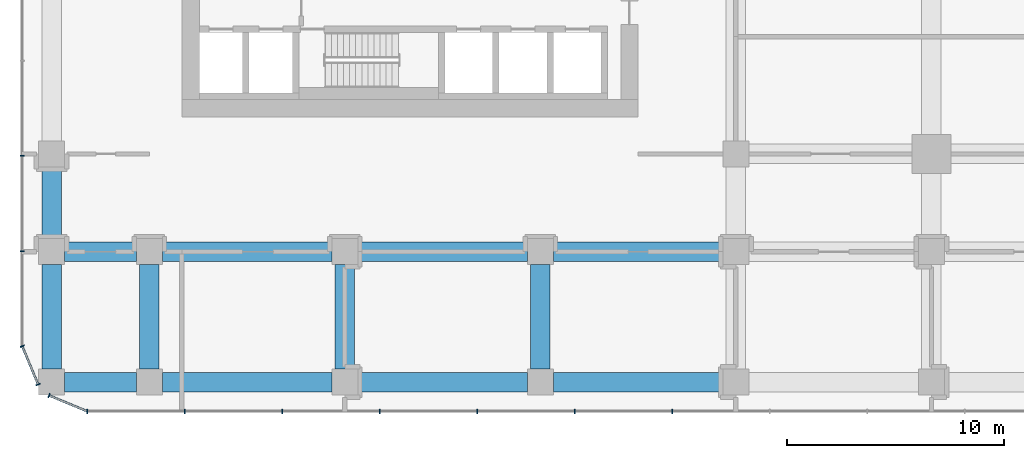
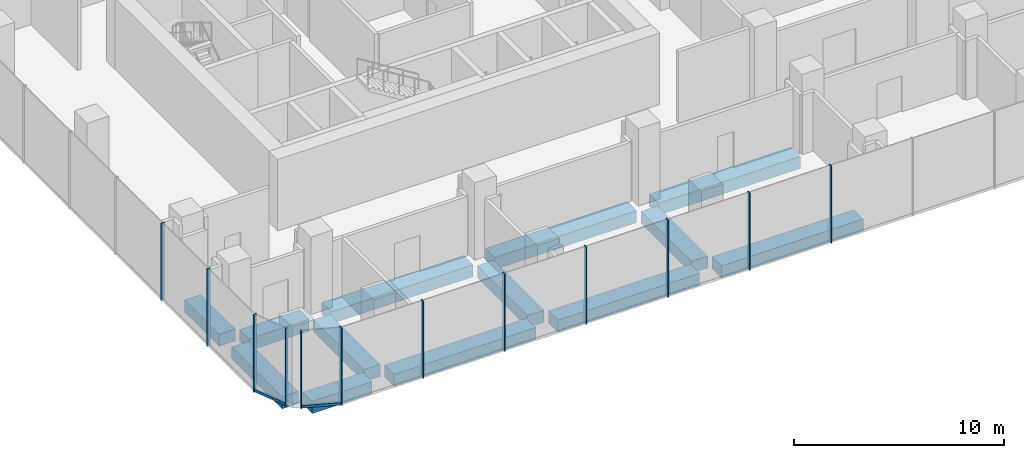
# One storey, part 2 of 43: 14 members, 13 beams, 4 elements without a shape of their own.
"""IFC4 building model written with IfcOpenShell, lengths in metres."""

from ifc_helpers import new_model, si_unit, direction, frame, origin, origin_2d, place, context, subcontext, project, spatial, rectangle, extrude, material, layer, layer_set, material_profile, profile_set, type_object, element, aggregate, save


model = new_model("IFC4")

# Units and contexts
model_context = context("Model", 3, precision=1e-05, world=origin(), true_north=direction((0.0, 1.0)))
body_context = subcontext(model_context, "Body", "Model", "MODEL_VIEW")
ifc_project = project(units=[si_unit("LENGTHUNIT", "METRE"), si_unit("AREAUNIT", "SQUARE_METRE"), si_unit("VOLUMEUNIT", "CUBIC_METRE"), si_unit("PLANEANGLEUNIT", "RADIAN"), si_unit("MASSUNIT", "GRAM", prefix="KILO")], contexts=[model_context])

# Site, building, storey
site_placement = place(None, origin())
site = spatial("IfcSite", under=ifc_project, at=site_placement, CompositionType="ELEMENT")
building_placement = place(site_placement, origin())
building = spatial("IfcBuilding", under=site, at=building_placement, Name="Plateau Cross Towers", CompositionType="ELEMENT")
storey_placement = place(building_placement, frame((0.0, 0.0, 12.800048828125)))
storey = spatial("IfcBuildingStorey", under=building, at=storey_placement, Name="L02", CompositionType="ELEMENT", Elevation=12.800048828125)

# Curtain wall, members
ifc_material_1 = material(Name="Dark low-iron laminated glass", Category="glass")
ifc_layer = layer(ifc_material_1, 0.300048828125)
ifc_layer_set = layer_set([ifc_layer], Name="Dark low-iron laminated glass")
curtain_wall_type = type_object("IfcCurtainWallType", Name="Curtain wall structural silicone CW-C", PredefinedType="NOTDEFINED", material=ifc_layer_set)
curtain_wall_1_placement = place(storey_placement, origin())
curtain_wall_1 = element("IfcCurtainWall", 1, at=curtain_wall_1_placement, inside=storey, type_object=curtain_wall_type, Name="ENV/P/L02/P-28_-118", PredefinedType="NOTDEFINED")
ifc_material_2 = material(Name="Black anodised aluminium", Category="aluminium")
ifc_material_profile_1 = material_profile(ifc_material_2, rectangle(XDim=0.050048828125, YDim=0.199951171875, at=origin_2d()), Name="MULLION 50x200")
ifc_profile_set_1 = profile_set([ifc_material_profile_1], Name="Black anodised aluminium")
member_type_1 = type_object("IfcMemberType", Name="Mullion 50x200 structural silicone", PredefinedType="MULLION", material=ifc_profile_set_1)
member_1_placement = place(storey_placement, frame((-2.85009765625, -11.85009765625, -0.35009765625), z_axis=(0.0, 0.0, 1.0), x_axis=(1.0, 0.0, 0.0)))
member_1 = element("IfcMember", 2, at=member_1_placement, type_object=member_type_1, Name="CW-C mullion 1", PredefinedType="MULLION", context=body_context, shape_type="SweptSolid", body=[
    extrude(rectangle(XDim=0.050048828125, YDim=0.199951171875, at=origin_2d()), origin(), (0.0, 0.0, 1.0), 4.5),
])
member_2_placement = place(storey_placement, frame((1.637451171875, -11.85009765625, -0.35009765625), z_axis=(0.0, 0.0, 1.0), x_axis=(1.0, 0.0, 0.0)))
member_2 = element("IfcMember", 3, at=member_2_placement, type_object=member_type_1, Name="CW-C mullion 2", PredefinedType="MULLION", context=body_context, shape_type="SweptSolid", body=[
    extrude(rectangle(XDim=0.050048828125, YDim=0.199951171875, at=origin_2d()), origin(), (0.0, 0.0, 1.0), 4.5),
])
member_3_placement = place(storey_placement, frame((6.125, -11.85009765625, -0.35009765625), z_axis=(0.0, 0.0, 1.0), x_axis=(1.0, 0.0, 0.0)))
member_3 = element("IfcMember", 4, at=member_3_placement, type_object=member_type_1, Name="CW-C mullion 3", PredefinedType="MULLION", context=body_context, shape_type="SweptSolid", body=[
    extrude(rectangle(XDim=0.050048828125, YDim=0.199951171875, at=origin_2d()), origin(), (0.0, 0.0, 1.0), 4.5),
])
member_4_placement = place(storey_placement, frame((10.612548828125, -11.85009765625, -0.35009765625), z_axis=(0.0, 0.0, 1.0), x_axis=(1.0, 0.0, 0.0)))
member_4 = element("IfcMember", 5, at=member_4_placement, type_object=member_type_1, Name="CW-C mullion 4", PredefinedType="MULLION", context=body_context, shape_type="SweptSolid", body=[
    extrude(rectangle(XDim=0.050048828125, YDim=0.199951171875, at=origin_2d()), origin(), (0.0, 0.0, 1.0), 4.5),
])
member_5_placement = place(storey_placement, frame((15.10009765625, -11.85009765625, -0.35009765625), z_axis=(0.0, 0.0, 1.0), x_axis=(1.0, 0.0, 0.0)))
member_5 = element("IfcMember", 6, at=member_5_placement, type_object=member_type_1, Name="CW-C mullion 5", PredefinedType="MULLION", context=body_context, shape_type="SweptSolid", body=[
    extrude(rectangle(XDim=0.050048828125, YDim=0.199951171875, at=origin_2d()), origin(), (0.0, 0.0, 1.0), 4.5),
])
member_6_placement = place(storey_placement, frame((19.58740234375, -11.85009765625, -0.35009765625), z_axis=(0.0, 0.0, 1.0), x_axis=(1.0, 0.0, 0.0)))
member_6 = element("IfcMember", 7, at=member_6_placement, type_object=member_type_1, Name="CW-C mullion 6", PredefinedType="MULLION", context=body_context, shape_type="SweptSolid", body=[
    extrude(rectangle(XDim=0.050048828125, YDim=0.199951171875, at=origin_2d()), origin(), (0.0, 0.0, 1.0), 4.5),
])
member_7_placement = place(storey_placement, frame((24.074951171875, -11.85009765625, -0.35009765625), z_axis=(0.0, 0.0, 1.0), x_axis=(1.0, 0.0, 0.0)))
member_7 = element("IfcMember", 8, at=member_7_placement, type_object=member_type_1, Name="CW-C mullion 7", PredefinedType="MULLION", context=body_context, shape_type="SweptSolid", body=[
    extrude(rectangle(XDim=0.050048828125, YDim=0.199951171875, at=origin_2d()), origin(), (0.0, 0.0, 1.0), 4.5),
])
aggregate(curtain_wall_1, [member_1, member_2, member_3, member_4, member_5, member_6, member_7])

curtain_wall_2_placement = place(storey_placement, origin())
curtain_wall_2 = element("IfcCurtainWall", 9, at=curtain_wall_2_placement, inside=storey, type_object=curtain_wall_type, Name="ENV/P/L02/P-58_568", PredefinedType="NOTDEFINED")
member_8_placement = place(storey_placement, frame((-5.85009765625, -0.090087890625, -0.35009765625), z_axis=(0.0, 0.0, 1.0), x_axis=(0.0, -1.0, 0.0)))
member_8 = element("IfcMember", 10, at=member_8_placement, type_object=member_type_1, Name="CW-C mullion 14", PredefinedType="MULLION", context=body_context, shape_type="SweptSolid", body=[
    extrude(rectangle(XDim=0.050048828125, YDim=0.199951171875, at=origin_2d()), origin(), (0.0, 0.0, 1.0), 4.5),
])
member_9_placement = place(storey_placement, frame((-5.85009765625, -4.469970703125, -0.35009765625), z_axis=(0.0, 0.0, 1.0), x_axis=(0.0, -1.0, 0.0)))
member_9 = element("IfcMember", 11, at=member_9_placement, type_object=member_type_1, Name="CW-C mullion 15", PredefinedType="MULLION", context=body_context, shape_type="SweptSolid", body=[
    extrude(rectangle(XDim=0.050048828125, YDim=0.199951171875, at=origin_2d()), origin(), (0.0, 0.0, 1.0), 4.5),
])
aggregate(curtain_wall_2, [member_8, member_9])

curtain_wall_3_placement = place(storey_placement, origin())
curtain_wall_3 = element("IfcCurtainWall", 12, at=curtain_wall_3_placement, inside=storey, type_object=curtain_wall_type, Name="ENV/P/L02/P-58_-88", PredefinedType="NOTDEFINED")
member_10_placement = place(storey_placement, frame((-5.85009765625, -8.85009765625, -0.35009765625), z_axis=(0.0, 0.0, 1.0), x_axis=(0.382683612978, -0.923879457699, 0.0)))
member_10 = element("IfcMember", 13, at=member_10_placement, type_object=member_type_1, Name="CW-C mullion 1", PredefinedType="MULLION", context=body_context, shape_type="SweptSolid", body=[
    extrude(rectangle(XDim=0.050048828125, YDim=0.199951171875, at=origin_2d()), origin(), (0.0, 0.0, 1.0), 4.5),
])
member_11_placement = place(storey_placement, frame((-5.1201171875, -10.6123046875, -0.35009765625), z_axis=(0.0, 0.0, 1.0), x_axis=(0.382683612978, -0.923879457699, 0.0)))
member_11 = element("IfcMember", 14, at=member_11_placement, type_object=member_type_1, Name="CW-C mullion 2", PredefinedType="MULLION", context=body_context, shape_type="SweptSolid", body=[
    extrude(rectangle(XDim=0.050048828125, YDim=0.199951171875, at=origin_2d()), origin(), (0.0, 0.0, 1.0), 4.5),
])

# Curtain wall, member
curtain_wall_4_placement = place(storey_placement, origin())
curtain_wall_4 = element("IfcCurtainWall", 15, at=curtain_wall_4_placement, inside=storey, type_object=curtain_wall_type, Name="ENV/P/L02/P-46_-111", PredefinedType="NOTDEFINED")
member_12_placement = place(storey_placement, frame((-4.6123046875, -11.1201171875, -0.35009765625), z_axis=(0.0, 0.0, 1.0), x_axis=(0.923879457699, -0.382683612978, 0.0)))
member_12 = element("IfcMember", 16, at=member_12_placement, type_object=member_type_1, Name="CW-C mullion 1", PredefinedType="MULLION", context=body_context, shape_type="SweptSolid", body=[
    extrude(rectangle(XDim=0.050048828125, YDim=0.199951171875, at=origin_2d()), origin(), (0.0, 0.0, 1.0), 4.5),
])

# Beams
ifc_material_3 = material(Name="Concrete C50/60", Category="concrete")
ifc_material_profile_2 = material_profile(ifc_material_3, rectangle(XDim=0.89990234375, YDim=0.699951171875, at=origin_2d()), Name="RC 900x700")
ifc_profile_set_2 = profile_set([ifc_material_profile_2], Name="Concrete C50/60")
beam_type = type_object("IfcBeamType", Name="Podium band beam RC 900x700", PredefinedType="BEAM", material=ifc_profile_set_2)
beam_1_placement = place(storey_placement, frame((-3.89990234375, -10.5, -0.699951171875), z_axis=(1.0, 0.0, 0.0), x_axis=(0.0, 1.0, 0.0)))
element("IfcBeam", 17, at=beam_1_placement, inside=storey, type_object=beam_type, Name="PB01@L02", PredefinedType="BEAM", context=body_context, shape_type="SweptSolid", body=[
    extrude(rectangle(XDim=0.89990234375, YDim=0.699951171875, at=origin_2d()), origin(), (0.0, 0.0, 1.0), 3.2998046875),
])
for number, where, z_axis, x_axis, name in (
    (18, (0.60009765625, -10.5, -0.699951171875), (1.0, 0.0, 0.0), (0.0, 1.0, 0.0), "PB02@L02"),
    (19, (9.60009765625, -10.5, -0.699951171875), (1.0, 0.0, 0.0), (0.0, 1.0, 0.0), "PB03@L02"),
    (20, (18.60009765625, -10.5, -0.699951171875), (1.0, 0.0, 0.0), (0.0, 1.0, 0.0), "PB04@L02"),
):
    element("IfcBeam", number, at=place(storey_placement, frame(where, z_axis=z_axis, x_axis=x_axis)), inside=storey, type_object=beam_type, Name=name, PredefinedType="BEAM", context=body_context, shape_type="SweptSolid", body=[
        extrude(rectangle(XDim=0.89990234375, YDim=0.699951171875, at=origin_2d()), origin(), (0.0, 0.0, 1.0), 7.7998046875),
    ])
beam_2_placement = place(storey_placement, frame((-3.89990234375, -4.5, -0.699951171875), z_axis=(1.0, 0.0, 0.0), x_axis=(0.0, 1.0, 0.0)))
element("IfcBeam", 21, at=beam_2_placement, inside=storey, type_object=beam_type, Name="PB14@L02", PredefinedType="BEAM", context=body_context, shape_type="SweptSolid", body=[
    extrude(rectangle(XDim=0.89990234375, YDim=0.699951171875, at=origin_2d()), origin(), (0.0, 0.0, 1.0), 3.2998046875),
])
for number, where, z_axis, x_axis, name in (
    (22, (0.60009765625, -4.5, -0.699951171875), (1.0, 0.0, 0.0), (0.0, 1.0, 0.0), "PB15@L02"),
    (23, (9.60009765625, -4.5, -0.699951171875), (1.0, 0.0, 0.0), (0.0, 1.0, 0.0), "PB16@L02"),
    (24, (18.60009765625, -4.5, -0.699951171875), (1.0, 0.0, 0.0), (0.0, 1.0, 0.0), "PB17@L02"),
):
    element("IfcBeam", number, at=place(storey_placement, frame(where, z_axis=z_axis, x_axis=x_axis)), inside=storey, type_object=beam_type, Name=name, PredefinedType="BEAM", context=body_context, shape_type="SweptSolid", body=[
        extrude(rectangle(XDim=0.89990234375, YDim=0.699951171875, at=origin_2d()), origin(), (0.0, 0.0, 1.0), 7.7998046875),
    ])
beam_3_placement = place(storey_placement, frame((-4.5, -9.89990234375, -0.699951171875), z_axis=(0.0, 1.0, 0.0), x_axis=(-1.0, 0.0, 0.0)))
element("IfcBeam", 25, at=beam_3_placement, inside=storey, type_object=beam_type, Name="PB93@L02", PredefinedType="BEAM", context=body_context, shape_type="SweptSolid", body=[
    extrude(rectangle(XDim=0.89990234375, YDim=0.699951171875, at=origin_2d()), origin(), (0.0, 0.0, 1.0), 4.7998046875),
])
beam_4_placement = place(storey_placement, frame((-4.5, -3.89990234375, -0.699951171875), z_axis=(0.0, 1.0, 0.0), x_axis=(-1.0, 0.0, 0.0)))
element("IfcBeam", 26, at=beam_4_placement, inside=storey, type_object=beam_type, Name="PB94@L02", PredefinedType="BEAM", context=body_context, shape_type="SweptSolid", body=[
    extrude(rectangle(XDim=0.89990234375, YDim=0.699951171875, at=origin_2d()), origin(), (0.0, 0.0, 1.0), 3.2998046875),
])
for number, where, z_axis, x_axis, name in (
    (27, (0.0, -9.89990234375, -0.699951171875), (0.0, 1.0, 0.0), (-1.0, 0.0, 0.0), "PB101@L02"),
    (28, (9.0, -9.89990234375, -0.699951171875), (0.0, 1.0, 0.0), (-1.0, 0.0, 0.0), "PB106@L02"),
    (29, (18.0, -9.89990234375, -0.699951171875), (0.0, 1.0, 0.0), (-1.0, 0.0, 0.0), "PB109@L02"),
):
    element("IfcBeam", number, at=place(storey_placement, frame(where, z_axis=z_axis, x_axis=x_axis)), inside=storey, type_object=beam_type, Name=name, PredefinedType="BEAM", context=body_context, shape_type="SweptSolid", body=[
        extrude(rectangle(XDim=0.89990234375, YDim=0.699951171875, at=origin_2d()), origin(), (0.0, 0.0, 1.0), 4.7998046875),
    ])

# Member
ifc_material_profile_3 = material_profile(ifc_material_2, rectangle(XDim=0.10009765625, YDim=0.14990234375, at=origin_2d()), Name="TRANSOM 100x150")
ifc_profile_set_3 = profile_set([ifc_material_profile_3], Name="Black anodised aluminium")
member_type_2 = type_object("IfcMemberType", Name="Transom 100x150 structural silicone", PredefinedType="USERDEFINED", material=ifc_profile_set_3)
member_13_placement = place(storey_placement, frame((-5.85009765625, -8.85009765625, -0.275146484375), z_axis=(0.38270599329, -0.923870187147, 0.0), x_axis=(0.923870187147, 0.38270599329, 0.0)))
member_13 = element("IfcMember", 30, at=member_13_placement, type_object=member_type_2, Name="CW-C transom", ObjectType="TRANSOM", PredefinedType="USERDEFINED", context=body_context, shape_type="SweptSolid", body=[
    extrude(rectangle(XDim=0.10009765625, YDim=0.14990234375, at=origin_2d()), origin(), (0.0, 0.0, 1.0), 1.907470703125),
])

aggregate(curtain_wall_3, [member_10, member_11, member_13])

member_14_placement = place(storey_placement, frame((-4.6123046875, -11.1201171875, -0.275146484375), z_axis=(0.923870187147, -0.38270599329, 0.0), x_axis=(0.38270599329, 0.923870187147, 0.0)))
member_14 = element("IfcMember", 31, at=member_14_placement, type_object=member_type_2, Name="CW-C transom", ObjectType="TRANSOM", PredefinedType="USERDEFINED", context=body_context, shape_type="SweptSolid", body=[
    extrude(rectangle(XDim=0.10009765625, YDim=0.14990234375, at=origin_2d()), origin(), (0.0, 0.0, 1.0), 1.907470703125),
])

aggregate(curtain_wall_4, [member_12, member_14])

save(model, "model.ifc")
